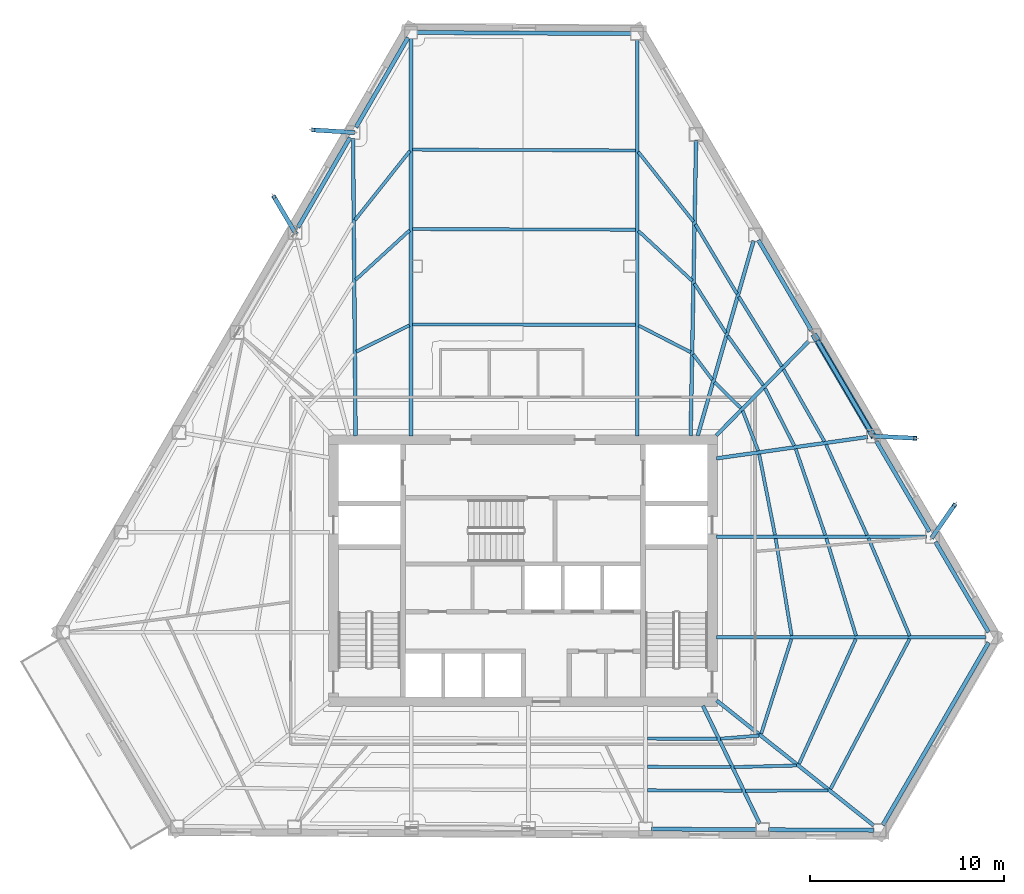
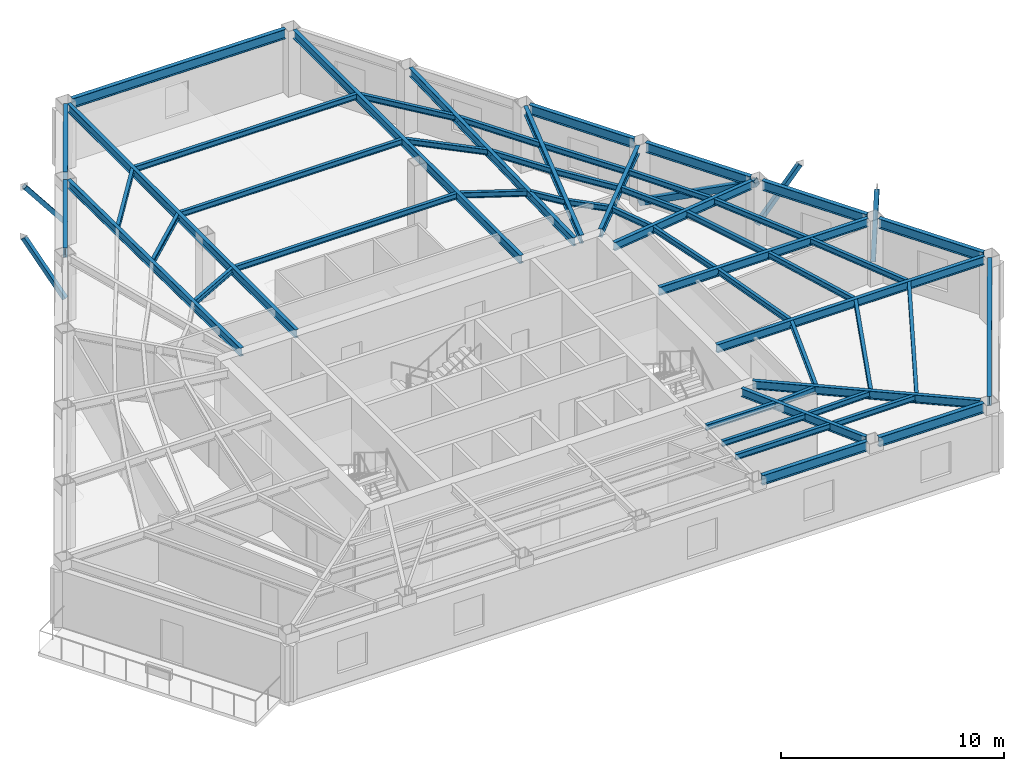
# One storey, part 2 of 13: 54 beams, 5 members.
"""IFC4 building model written with IfcOpenShell, lengths in metres."""

from ifc_helpers import new_model, si_unit, direction, frame, origin, origin_2d, place, context, subcontext, project, spatial, hollow_rectangle, i_section, extrude, material, material_profile, profile_set, type_object, element, save


model = new_model("IFC4")

# Units and contexts
model_context = context("Model", 3, precision=1e-05, world=origin(), true_north=direction((0.0, 1.0)))
body_context = subcontext(model_context, "Body", "Model", "MODEL_VIEW")
ifc_project = project(units=[si_unit("LENGTHUNIT", "METRE"), si_unit("AREAUNIT", "SQUARE_METRE"), si_unit("VOLUMEUNIT", "CUBIC_METRE"), si_unit("PLANEANGLEUNIT", "RADIAN"), si_unit("MASSUNIT", "GRAM", prefix="KILO")], contexts=[model_context])

# Site, building, storey
site_placement = place(None, origin())
site = spatial("IfcSite", under=ifc_project, at=site_placement, CompositionType="ELEMENT")
building_placement = place(site_placement, origin())
building = spatial("IfcBuilding", under=site, at=building_placement, Name="Kavelnor Concourse Tower", CompositionType="ELEMENT")
storey_placement = place(building_placement, frame((0.0, 0.0, 124.0)))
storey = spatial("IfcBuildingStorey", under=building, at=storey_placement, Name="L31", CompositionType="ELEMENT", Elevation=124.0)

# Beams
ifc_material = material(Name="Steel Grade 350", Category="steel")
ifc_material_profile_1 = material_profile(ifc_material, i_section(OverallWidth=0.166015625, OverallDepth=0.306884765625, WebThickness=0.006591796875, FlangeThickness=0.01171875, at=origin_2d()), Name="310UB46")
ifc_profile_set_1 = profile_set([ifc_material_profile_1], Name="Steel Grade 350")
beam_type_1 = type_object("IfcBeamType", Name="BM-JOIST-310", PredefinedType="JOIST", material=ifc_profile_set_1)
beam_1_placement = place(storey_placement, frame((44.40966796875, 7.443359375, 3.446533203125), z_axis=(0.999995944368, -0.002848025338, 0.0), x_axis=(0.002848025338, 0.999995944368, 0.0)))
element("IfcBeam", 1, at=beam_1_placement, inside=storey, type_object=beam_type_1, Name="L31 Secondary Composite Joist 06-1", PredefinedType="JOIST", context=body_context, shape_type="SweptSolid", body=[
    extrude(i_section(OverallWidth=0.166015625, OverallDepth=0.306884765625, WebThickness=0.006591796875, FlangeThickness=0.01171875, at=origin_2d()), origin(), (0.0, 0.0, 1.0), 3.600341796875),
])
beam_2_placement = place(storey_placement, frame((44.40966796875, 5.989013671875, 3.446533203125), z_axis=(0.999993204234, -0.003686663166, 0.0), x_axis=(0.003686663166, 0.999993204234, 0.0)))
element("IfcBeam", 2, at=beam_2_placement, inside=storey, type_object=beam_type_1, Name="L31 Secondary Composite Joist 06-2", PredefinedType="JOIST", context=body_context, shape_type="SweptSolid", body=[
    extrude(i_section(OverallWidth=0.166015625, OverallDepth=0.306884765625, WebThickness=0.006591796875, FlangeThickness=0.01171875, at=origin_2d()), origin(), (0.0, 0.0, 1.0), 4.304443359375),
])
beam_3_placement = place(storey_placement, frame((44.40966796875, 4.777099609375, 3.446533203125), z_axis=(0.999991210028, -0.004192835262, 0.0), x_axis=(0.004192835262, 0.999991210028, 0.0)))
element("IfcBeam", 3, at=beam_3_placement, inside=storey, type_object=beam_type_1, Name="L31 Secondary Composite Joist 06-3", PredefinedType="JOIST", context=body_context, shape_type="SweptSolid", body=[
    extrude(i_section(OverallWidth=0.166015625, OverallDepth=0.306884765625, WebThickness=0.006591796875, FlangeThickness=0.01171875, at=origin_2d()), origin(), (0.0, 0.0, 1.0), 4.89111328125),
])
beam_4_placement = place(storey_placement, frame((48.187744140625, 7.439697265625, 3.446533203125), z_axis=(0.9968312861, 0.079544874458, 0.0), x_axis=(-0.079544874458, 0.9968312861, 0.0)))
element("IfcBeam", 4, at=beam_4_placement, inside=storey, type_object=beam_type_1, Name="L31 Secondary Composite Joist 07-1", PredefinedType="JOIST", context=body_context, shape_type="SweptSolid", body=[
    extrude(i_section(OverallWidth=0.166015625, OverallDepth=0.306884765625, WebThickness=0.006591796875, FlangeThickness=0.01171875, at=origin_2d()), origin(), (0.0, 0.0, 1.0), 1.98583984375),
])
beam_5_placement = place(storey_placement, frame((48.89208984375, 5.974853515625, 3.446533203125), z_axis=(0.999690576375, 0.024874716208, 0.0), x_axis=(-0.024874716208, 0.999690576375, 0.0)))
element("IfcBeam", 5, at=beam_5_placement, inside=storey, type_object=beam_type_1, Name="L31 Secondary Composite Joist 07-2", PredefinedType="JOIST", context=body_context, shape_type="SweptSolid", body=[
    extrude(i_section(OverallWidth=0.166015625, OverallDepth=0.306884765625, WebThickness=0.006591796875, FlangeThickness=0.01171875, at=origin_2d()), origin(), (0.0, 0.0, 1.0), 3.21923828125),
])
beam_6_placement = place(storey_placement, frame((49.478759765625, 4.75634765625, 3.446533203125), z_axis=(0.999996510316, 0.002641846972, 0.0), x_axis=(-0.002641846972, 0.999996510316, 0.0)))
element("IfcBeam", 6, at=beam_6_placement, inside=storey, type_object=beam_type_1, Name="L31 Secondary Composite Joist 07-3", PredefinedType="JOIST", context=body_context, shape_type="SweptSolid", body=[
    extrude(i_section(OverallWidth=0.166015625, OverallDepth=0.306884765625, WebThickness=0.006591796875, FlangeThickness=0.01171875, at=origin_2d()), origin(), (0.0, 0.0, 1.0), 4.2509765625),
])
beam_7_placement = place(storey_placement, frame((50.282958984375, 7.689453125, 3.446533203125), z_axis=(0.303498167768, 0.952832022007, 0.0), x_axis=(-0.952832022007, 0.303498167768, 0.0)))
element("IfcBeam", 7, at=beam_7_placement, inside=storey, type_object=beam_type_1, Name="L31 Secondary Composite Joist 08-1", PredefinedType="JOIST", context=body_context, shape_type="SweptSolid", body=[
    extrude(i_section(OverallWidth=0.166015625, OverallDepth=0.306884765625, WebThickness=0.006591796875, FlangeThickness=0.01171875, at=origin_2d()), origin(), (0.0, 0.0, 1.0), 5.13232421875),
])
beam_8_placement = place(storey_placement, frame((52.236083984375, 6.13818359375, 3.446533203125), z_axis=(0.413501487827, 0.910503442918, 0.0), x_axis=(-0.910503442918, 0.413501487827, 0.0)))
element("IfcBeam", 8, at=beam_8_placement, inside=storey, type_object=beam_type_1, Name="L31 Secondary Composite Joist 08-2", PredefinedType="JOIST", context=body_context, shape_type="SweptSolid", body=[
    extrude(i_section(OverallWidth=0.166015625, OverallDepth=0.306884765625, WebThickness=0.006591796875, FlangeThickness=0.01171875, at=origin_2d()), origin(), (0.0, 0.0, 1.0), 7.07861328125),
])
beam_9_placement = place(storey_placement, frame((53.860107421875, 4.846435546875, 3.446533203125), z_axis=(0.465928192241, 0.884822535696, 0.0), x_axis=(-0.884822535696, 0.465928192241, 0.0)))
element("IfcBeam", 9, at=beam_9_placement, inside=storey, type_object=beam_type_1, Name="L31 Secondary Composite Joist 08-3", PredefinedType="JOIST", context=body_context, shape_type="SweptSolid", body=[
    extrude(i_section(OverallWidth=0.166015625, OverallDepth=0.306884765625, WebThickness=0.006591796875, FlangeThickness=0.01171875, at=origin_2d()), origin(), (0.0, 0.0, 1.0), 8.746337890625),
])
beam_10_placement = place(storey_placement, frame((51.85302734375, 12.752197265625, 3.446533203125), z_axis=(-0.162216216616, 0.986755237669, 0.0), x_axis=(-0.986755237669, -0.162216216616, 0.0)))
element("IfcBeam", 10, at=beam_10_placement, inside=storey, type_object=beam_type_1, Name="L31 Secondary Composite Joist 09-1", PredefinedType="JOIST", context=body_context, shape_type="SweptSolid", body=[
    extrude(i_section(OverallWidth=0.166015625, OverallDepth=0.306884765625, WebThickness=0.006591796875, FlangeThickness=0.01171875, at=origin_2d()), origin(), (0.0, 0.0, 1.0), 5.07958984375),
])
beam_11_placement = place(storey_placement, frame((55.173828125, 12.74951171875, 3.446533203125), z_axis=(-0.292015174961, 0.956413685385, 0.0), x_axis=(-0.956413685385, -0.292015174961, 0.0)))
element("IfcBeam", 11, at=beam_11_placement, inside=storey, type_object=beam_type_1, Name="L31 Secondary Composite Joist 09-2", PredefinedType="JOIST", context=body_context, shape_type="SweptSolid", body=[
    extrude(i_section(OverallWidth=0.166015625, OverallDepth=0.306884765625, WebThickness=0.006591796875, FlangeThickness=0.01171875, at=origin_2d()), origin(), (0.0, 0.0, 1.0), 5.246337890625),
])
beam_12_placement = place(storey_placement, frame((57.94189453125, 12.746337890625, 3.446533203125), z_axis=(-0.389371299134, 0.921080882122, 0.0), x_axis=(-0.921080882122, -0.389371299134, 0.0)))
element("IfcBeam", 12, at=beam_12_placement, inside=storey, type_object=beam_type_1, Name="L31 Secondary Composite Joist 09-3", PredefinedType="JOIST", context=body_context, shape_type="SweptSolid", body=[
    extrude(i_section(OverallWidth=0.166015625, OverallDepth=0.306884765625, WebThickness=0.006591796875, FlangeThickness=0.01171875, at=origin_2d()), origin(), (0.0, 0.0, 1.0), 5.454345703125),
])
beam_13_placement = place(storey_placement, frame((50.99755859375, 17.939453125, 3.446533203125), z_axis=(-0.192396042067, 0.981317360998, 0.0), x_axis=(-0.981317360998, -0.192396042067, 0.0)))
element("IfcBeam", 13, at=beam_13_placement, inside=storey, type_object=beam_type_1, Name="L31 Secondary Composite Joist 10-1", PredefinedType="JOIST", context=body_context, shape_type="SweptSolid", body=[
    extrude(i_section(OverallWidth=0.166015625, OverallDepth=0.306884765625, WebThickness=0.006591796875, FlangeThickness=0.01171875, at=origin_2d()), origin(), (0.0, 0.0, 1.0), 4.2548828125),
])
beam_14_placement = place(storey_placement, frame((53.5869140625, 17.936279296875, 3.446533203125), z_axis=(-0.324612407086, 0.945847125685, 0.0), x_axis=(-0.945847125685, -0.324612407086, 0.0)))
element("IfcBeam", 14, at=beam_14_placement, inside=storey, type_object=beam_type_1, Name="L31 Secondary Composite Joist 10-2", PredefinedType="JOIST", context=body_context, shape_type="SweptSolid", body=[
    extrude(i_section(OverallWidth=0.166015625, OverallDepth=0.306884765625, WebThickness=0.006591796875, FlangeThickness=0.01171875, at=origin_2d()), origin(), (0.0, 0.0, 1.0), 4.701416015625),
])
beam_15_placement = place(storey_placement, frame((55.74658203125, 17.933349609375, 3.446533203125), z_axis=(-0.413060891372, 0.910703409469, 0.0), x_axis=(-0.910703409469, -0.413060891372, 0.0)))
element("IfcBeam", 15, at=beam_15_placement, inside=storey, type_object=beam_type_1, Name="L31 Secondary Composite Joist 10-3", PredefinedType="JOIST", context=body_context, shape_type="SweptSolid", body=[
    extrude(i_section(OverallWidth=0.166015625, OverallDepth=0.306884765625, WebThickness=0.006591796875, FlangeThickness=0.01171875, at=origin_2d()), origin(), (0.0, 0.0, 1.0), 5.132080078125),
])
beam_16_placement = place(storey_placement, frame((50.129638671875, 22.28515625, 3.446533203125), z_axis=(-0.36211572137, 0.932133147322, 0.0), x_axis=(-0.932133147322, -0.36211572137, 0.0)))
element("IfcBeam", 16, at=beam_16_placement, inside=storey, type_object=beam_type_1, Name="L31 Secondary Composite Joist 11-1", PredefinedType="JOIST", context=body_context, shape_type="SweptSolid", body=[
    extrude(i_section(OverallWidth=0.166015625, OverallDepth=0.306884765625, WebThickness=0.006591796875, FlangeThickness=0.01171875, at=origin_2d()), origin(), (0.0, 0.0, 1.0), 2.2099609375),
])
beam_17_placement = place(storey_placement, frame((51.9912109375, 22.54638671875, 3.446533203125), z_axis=(-0.454415711372, 0.890789740207, 0.0), x_axis=(-0.890789740207, -0.454415711372, 0.0)))
element("IfcBeam", 17, at=beam_17_placement, inside=storey, type_object=beam_type_1, Name="L31 Secondary Composite Joist 11-2", PredefinedType="JOIST", context=body_context, shape_type="SweptSolid", body=[
    extrude(i_section(OverallWidth=0.166015625, OverallDepth=0.306884765625, WebThickness=0.006591796875, FlangeThickness=0.01171875, at=origin_2d()), origin(), (0.0, 0.0, 1.0), 3.328857421875),
])
beam_18_placement = place(storey_placement, frame((53.5458984375, 22.765380859375, 3.446533203125), z_axis=(-0.494157539156, 0.869372375047, 0.0), x_axis=(-0.869372375047, -0.494157539156, 0.0)))
element("IfcBeam", 18, at=beam_18_placement, inside=storey, type_object=beam_type_1, Name="L31 Secondary Composite Joist 11-3", PredefinedType="JOIST", context=body_context, shape_type="SweptSolid", body=[
    extrude(i_section(OverallWidth=0.166015625, OverallDepth=0.306884765625, WebThickness=0.006591796875, FlangeThickness=0.01171875, at=origin_2d()), origin(), (0.0, 0.0, 1.0), 4.275634765625),
])
beam_19_placement = place(storey_placement, frame((49.2333984375, 24.490234375, 3.446533203125), z_axis=(-0.714613876503, 0.699519125907, 0.0), x_axis=(-0.699519125907, -0.714613876503, 0.0)))
element("IfcBeam", 19, at=beam_19_placement, inside=storey, type_object=beam_type_1, Name="L31 Secondary Composite Joist 12-1", PredefinedType="JOIST", context=body_context, shape_type="SweptSolid", body=[
    extrude(i_section(OverallWidth=0.166015625, OverallDepth=0.306884765625, WebThickness=0.006591796875, FlangeThickness=0.01171875, at=origin_2d()), origin(), (0.0, 0.0, 1.0), 1.892333984375),
])
beam_20_placement = place(storey_placement, frame((50.38623046875, 25.663330078125, 3.446533203125), z_axis=(-0.58149571943, 0.813549462715, 0.0), x_axis=(-0.813549462715, -0.58149571943, 0.0)))
element("IfcBeam", 20, at=beam_20_placement, inside=storey, type_object=beam_type_1, Name="L31 Secondary Composite Joist 12-2", PredefinedType="JOIST", context=body_context, shape_type="SweptSolid", body=[
    extrude(i_section(OverallWidth=0.166015625, OverallDepth=0.306884765625, WebThickness=0.006591796875, FlangeThickness=0.01171875, at=origin_2d()), origin(), (0.0, 0.0, 1.0), 3.138427734375),
])
beam_21_placement = place(storey_placement, frame((51.34228515625, 26.6357421875, 3.446533203125), z_axis=(-0.524362484766, 0.851495146533, 0.0), x_axis=(-0.851495146533, -0.524362484766, 0.0)))
element("IfcBeam", 21, at=beam_21_placement, inside=storey, type_object=beam_type_1, Name="L31 Secondary Composite Joist 12-3", PredefinedType="JOIST", context=body_context, shape_type="SweptSolid", body=[
    extrude(i_section(OverallWidth=0.166015625, OverallDepth=0.306884765625, WebThickness=0.006591796875, FlangeThickness=0.01171875, at=origin_2d()), origin(), (0.0, 0.0, 1.0), 4.213623046875),
])
beam_22_placement = place(storey_placement, frame((47.763916015625, 25.947509765625, 3.446533203125), z_axis=(-0.601523942044, 0.798854772251, 0.0), x_axis=(-0.798854772251, -0.601523942044, 0.0)))
element("IfcBeam", 22, at=beam_22_placement, inside=storey, type_object=beam_type_1, Name="L31 Secondary Composite Joist 13-1", PredefinedType="JOIST", context=body_context, shape_type="SweptSolid", body=[
    extrude(i_section(OverallWidth=0.166015625, OverallDepth=0.306884765625, WebThickness=0.006591796875, FlangeThickness=0.01171875, at=origin_2d()), origin(), (0.0, 0.0, 1.0), 1.639404296875),
])
beam_23_placement = place(storey_placement, frame((48.461669921875, 28.364013671875, 3.446533203125), z_axis=(-0.536964417374, 0.843604892396, 0.0), x_axis=(-0.843604892396, -0.536964417374, 0.0)))
element("IfcBeam", 23, at=beam_23_placement, inside=storey, type_object=beam_type_1, Name="L31 Secondary Composite Joist 13-2", PredefinedType="JOIST", context=body_context, shape_type="SweptSolid", body=[
    extrude(i_section(OverallWidth=0.166015625, OverallDepth=0.306884765625, WebThickness=0.006591796875, FlangeThickness=0.01171875, at=origin_2d()), origin(), (0.0, 0.0, 1.0), 3.02001953125),
])
beam_24_placement = place(storey_placement, frame((49.040283203125, 30.3759765625, 3.446533203125), z_axis=(-0.513782053212, 0.857920743308, 0.0), x_axis=(-0.857920743308, -0.513782053212, 0.0)))
element("IfcBeam", 24, at=beam_24_placement, inside=storey, type_object=beam_type_1, Name="L31 Secondary Composite Joist 13-3", PredefinedType="JOIST", context=body_context, shape_type="SweptSolid", body=[
    extrude(i_section(OverallWidth=0.166015625, OverallDepth=0.306884765625, WebThickness=0.006591796875, FlangeThickness=0.01171875, at=origin_2d()), origin(), (0.0, 0.0, 1.0), 4.17626953125),
])
beam_25_placement = place(storey_placement, frame((46.64501953125, 27.368896484375, 3.446533203125), z_axis=(-0.890118827733, 0.455728507463, 0.0), x_axis=(-0.455728507463, -0.890118827733, 0.0)))
element("IfcBeam", 25, at=beam_25_placement, inside=storey, type_object=beam_type_1, Name="L31 Secondary Composite Joist 14-1", PredefinedType="JOIST", context=body_context, shape_type="SweptSolid", body=[
    extrude(i_section(OverallWidth=0.166015625, OverallDepth=0.306884765625, WebThickness=0.006591796875, FlangeThickness=0.01171875, at=origin_2d()), origin(), (0.0, 0.0, 1.0), 3.009033203125),
])
beam_26_placement = place(storey_placement, frame((46.72705078125, 31.047119140625, 3.446533203125), z_axis=(-0.732738373, 0.680510453066, 0.0), x_axis=(-0.680510453066, -0.732738373, 0.0)))
element("IfcBeam", 26, at=beam_26_placement, inside=storey, type_object=beam_type_1, Name="L31 Secondary Composite Joist 14-2", PredefinedType="JOIST", context=body_context, shape_type="SweptSolid", body=[
    extrude(i_section(OverallWidth=0.166015625, OverallDepth=0.306884765625, WebThickness=0.006591796875, FlangeThickness=0.01171875, at=origin_2d()), origin(), (0.0, 0.0, 1.0), 3.786376953125),
])
beam_27_placement = place(storey_placement, frame((46.79345703125, 34.10498046875, 3.446533203125), z_axis=(-0.621243791216, 0.783617350417, 0.0), x_axis=(-0.783617350417, -0.621243791216, 0.0)))
element("IfcBeam", 27, at=beam_27_placement, inside=storey, type_object=beam_type_1, Name="L31 Secondary Composite Joist 14-3", PredefinedType="JOIST", context=body_context, shape_type="SweptSolid", body=[
    extrude(i_section(OverallWidth=0.166015625, OverallDepth=0.306884765625, WebThickness=0.006591796875, FlangeThickness=0.01171875, at=origin_2d()), origin(), (0.0, 0.0, 1.0), 4.5888671875),
])
for number, where, z_axis, x_axis, name in (
    (28, (43.79833984375, 28.781005859375, 3.446533203125), (-0.999998892647, 0.0014881885, 0.0), (-0.0014881885, -0.999998892647, 0.0), "L31 Secondary Composite Joist 15-1"),
    (29, (43.79833984375, 33.6845703125, 3.446533203125), (-0.999996121794, 0.002785030762, 0.0), (-0.002785030762, -0.999996121794, 0.0), "L31 Secondary Composite Joist 15-2"),
    (30, (43.79833984375, 37.77099609375, 3.446533203125), (-0.999992596397, 0.003848006037, 0.0), (-0.003848006037, -0.999992596397, 0.0), "L31 Secondary Composite Joist 15-3"),
):
    element("IfcBeam", number, at=place(storey_placement, frame(where, z_axis=z_axis, x_axis=x_axis)), inside=storey, type_object=beam_type_1, Name=name, PredefinedType="JOIST", context=body_context, shape_type="SweptSolid", body=[
        extrude(i_section(OverallWidth=0.166015625, OverallDepth=0.306884765625, WebThickness=0.006591796875, FlangeThickness=0.01171875, at=origin_2d()), origin(), (0.0, 0.0, 1.0), 11.483642578125),
    ])
beam_28_placement = place(storey_placement, frame((32.146240234375, 28.758544921875, 3.446533203125), z_axis=(-0.894874180429, -0.446318497489, 0.0), x_axis=(0.446318497489, -0.894874180429, 0.0)))
element("IfcBeam", 31, at=beam_28_placement, inside=storey, type_object=beam_type_1, Name="L31 Secondary Composite Joist 16-1", PredefinedType="JOIST", context=body_context, shape_type="SweptSolid", body=[
    extrude(i_section(OverallWidth=0.166015625, OverallDepth=0.306884765625, WebThickness=0.006591796875, FlangeThickness=0.01171875, at=origin_2d()), origin(), (0.0, 0.0, 1.0), 3.0556640625),
])
beam_29_placement = place(storey_placement, frame((32.16015625, 33.656494140625, 3.446533203125), z_axis=(-0.737266465932, -0.675602070905, 0.0), x_axis=(0.675602070905, -0.737266465932, 0.0)))
element("IfcBeam", 32, at=beam_29_placement, inside=storey, type_object=beam_type_1, Name="L31 Secondary Composite Joist 16-2", PredefinedType="JOIST", context=body_context, shape_type="SweptSolid", body=[
    extrude(i_section(OverallWidth=0.166015625, OverallDepth=0.306884765625, WebThickness=0.006591796875, FlangeThickness=0.01171875, at=origin_2d()), origin(), (0.0, 0.0, 1.0), 3.788818359375),
])
beam_30_placement = place(storey_placement, frame((32.17041015625, 37.745849609375, 3.446533203125), z_axis=(-0.622369386411, -0.782723672095, 0.0), x_axis=(0.782723672095, -0.622369386411, 0.0)))
element("IfcBeam", 33, at=beam_30_placement, inside=storey, type_object=beam_type_1, Name="L31 Secondary Composite Joist 16-3", PredefinedType="JOIST", context=body_context, shape_type="SweptSolid", body=[
    extrude(i_section(OverallWidth=0.166015625, OverallDepth=0.306884765625, WebThickness=0.006591796875, FlangeThickness=0.01171875, at=origin_2d()), origin(), (0.0, 0.0, 1.0), 4.56298828125),
])
ifc_material_profile_2 = material_profile(ifc_material, i_section(OverallWidth=0.18994140625, OverallDepth=0.4541015625, WebThickness=0.008544921875, FlangeThickness=0.0126953125, at=origin_2d()), Name="460UB67")
ifc_profile_set_2 = profile_set([ifc_material_profile_2], Name="Steel Grade 350")
beam_type_2 = type_object("IfcBeamType", Name="BM-PRIMARY-460", PredefinedType="BEAM", material=ifc_profile_set_2)
beam_31_placement = place(storey_placement, frame((32.225830078125, 23.06005859375, 3.373046875), z_axis=(0.0, 1.0, 0.0), x_axis=(-1.0, 0.0, 0.0)))
element("IfcBeam", 34, at=beam_31_placement, inside=storey, type_object=beam_type_2, Name="L31 Primary Floor Girder F0-B0", PredefinedType="BEAM", context=body_context, shape_type="SweptSolid", body=[
    extrude(i_section(OverallWidth=0.18994140625, OverallDepth=0.4541015625, WebThickness=0.008544921875, FlangeThickness=0.0126953125, at=origin_2d()), origin(), (0.0, 0.0, 1.0), 20.49365234375),
])
beam_32_placement = place(storey_placement, frame((29.368408203125, 23.06005859375, 3.373046875), z_axis=(-0.00843502642, 0.999964424532, 0.0), x_axis=(-0.999964424532, -0.00843502642, 0.0)))
element("IfcBeam", 35, at=beam_32_placement, inside=storey, type_object=beam_type_2, Name="L31 Primary Floor Girder F0-B1", PredefinedType="BEAM", context=body_context, shape_type="SweptSolid", body=[
    extrude(i_section(OverallWidth=0.18994140625, OverallDepth=0.4541015625, WebThickness=0.008544921875, FlangeThickness=0.0126953125, at=origin_2d()), origin(), (0.0, 0.0, 1.0), 15.340087890625),
])
beam_33_placement = place(storey_placement, frame((47.277587890625, 9.135986328125, 3.373046875), z_axis=(0.434341611093, -0.900748225018, 0.0), x_axis=(0.900748225018, 0.434341611093, 0.0)))
element("IfcBeam", 36, at=beam_33_placement, inside=storey, type_object=beam_type_2, Name="L31 Primary Floor Girder F1-B5", PredefinedType="BEAM", context=body_context, shape_type="SweptSolid", body=[
    extrude(i_section(OverallWidth=0.18994140625, OverallDepth=0.4541015625, WebThickness=0.008544921875, FlangeThickness=0.0126953125, at=origin_2d()), origin(), (0.0, 0.0, 1.0), 6.753662109375),
])
beam_34_placement = place(storey_placement, frame((47.98876953125, 9.41015625, 3.373046875), z_axis=(0.782279718847, -0.622927316371, 0.0), x_axis=(0.622927316371, 0.782279718847, 0.0)))
element("IfcBeam", 37, at=beam_34_placement, inside=storey, type_object=beam_type_2, Name="L31 Primary Floor Girder F1-B6", PredefinedType="BEAM", context=body_context, shape_type="SweptSolid", body=[
    extrude(i_section(OverallWidth=0.18994140625, OverallDepth=0.4541015625, WebThickness=0.008544921875, FlangeThickness=0.0126953125, at=origin_2d()), origin(), (0.0, 0.0, 1.0), 10.350830078125),
])
beam_35_placement = place(storey_placement, frame((47.97998046875, 12.664306640625, 3.373046875), z_axis=(1.0, 0.0, 0.0), x_axis=(0.0, 1.0, 0.0)))
element("IfcBeam", 38, at=beam_35_placement, inside=storey, type_object=beam_type_2, Name="L31 Primary Floor Girder F2-B0", PredefinedType="BEAM", context=body_context, shape_type="SweptSolid", body=[
    extrude(i_section(OverallWidth=0.18994140625, OverallDepth=0.4541015625, WebThickness=0.008544921875, FlangeThickness=0.0126953125, at=origin_2d()), origin(), (0.0, 0.0, 1.0), 13.88427734375),
])
beam_36_placement = place(storey_placement, frame((47.97998046875, 17.852294921875, 3.373046875), z_axis=(1.0, 0.0, 0.0), x_axis=(0.0, 1.0, 0.0)))
element("IfcBeam", 39, at=beam_36_placement, inside=storey, type_object=beam_type_2, Name="L31 Primary Floor Girder F2-B1", PredefinedType="BEAM", context=body_context, shape_type="SweptSolid", body=[
    extrude(i_section(OverallWidth=0.18994140625, OverallDepth=0.4541015625, WebThickness=0.008544921875, FlangeThickness=0.0126953125, at=origin_2d()), origin(), (0.0, 0.0, 1.0), 10.838134765625),
])
beam_37_placement = place(storey_placement, frame((47.98046875, 21.892822265625, 3.373046875), z_axis=(0.990100332991, 0.140361428505, 0.0), x_axis=(-0.140361428505, 0.990100332991, 0.0)))
element("IfcBeam", 40, at=beam_37_placement, inside=storey, type_object=beam_type_2, Name="L31 Primary Floor Girder F2-B2", PredefinedType="BEAM", context=body_context, shape_type="SweptSolid", body=[
    extrude(i_section(OverallWidth=0.18994140625, OverallDepth=0.4541015625, WebThickness=0.008544921875, FlangeThickness=0.0126953125, at=origin_2d()), origin(), (0.0, 0.0, 1.0), 7.868896484375),
])
beam_38_placement = place(storey_placement, frame((47.9658203125, 23.0712890625, 3.373046875), z_axis=(0.700385617041, 0.713764658303, 0.0), x_axis=(-0.713764658303, 0.700385617041, 0.0)))
element("IfcBeam", 41, at=beam_38_placement, inside=storey, type_object=beam_type_2, Name="L31 Primary Floor Girder F2-B3", PredefinedType="BEAM", context=body_context, shape_type="SweptSolid", body=[
    extrude(i_section(OverallWidth=0.18994140625, OverallDepth=0.4541015625, WebThickness=0.008544921875, FlangeThickness=0.0126953125, at=origin_2d()), origin(), (0.0, 0.0, 1.0), 6.788330078125),
])
beam_39_placement = place(storey_placement, frame((47.010498046875, 23.0615234375, 3.373046875), z_axis=(0.275658323052, 0.961255683433, 0.0), x_axis=(-0.961255683433, 0.275658323052, 0.0)))
element("IfcBeam", 42, at=beam_39_placement, inside=storey, type_object=beam_type_2, Name="L31 Primary Floor Girder F2-B4", PredefinedType="BEAM", context=body_context, shape_type="SweptSolid", body=[
    extrude(i_section(OverallWidth=0.18994140625, OverallDepth=0.4541015625, WebThickness=0.008544921875, FlangeThickness=0.0126953125, at=origin_2d()), origin(), (0.0, 0.0, 1.0), 10.4580078125),
])
beam_40_placement = place(storey_placement, frame((46.645263671875, 23.06005859375, 3.373046875), z_axis=(0.018543209158, 0.999828059915, 0.0), x_axis=(-0.999828059915, 0.018543209158, 0.0)))
element("IfcBeam", 43, at=beam_40_placement, inside=storey, type_object=beam_type_2, Name="L31 Primary Floor Girder F2-B5", PredefinedType="BEAM", context=body_context, shape_type="SweptSolid", body=[
    extrude(i_section(OverallWidth=0.18994140625, OverallDepth=0.4541015625, WebThickness=0.008544921875, FlangeThickness=0.0126953125, at=origin_2d()), origin(), (0.0, 0.0, 1.0), 15.246337890625),
])
beam_41_placement = place(storey_placement, frame((43.887451171875, 23.06005859375, 3.373046875), z_axis=(0.0, 1.0, 0.0), x_axis=(-1.0, 0.0, 0.0)))
element("IfcBeam", 44, at=beam_41_placement, inside=storey, type_object=beam_type_2, Name="L31 Primary Floor Girder F2-B6", PredefinedType="BEAM", context=body_context, shape_type="SweptSolid", body=[
    extrude(i_section(OverallWidth=0.18994140625, OverallDepth=0.4541015625, WebThickness=0.008544921875, FlangeThickness=0.0126953125, at=origin_2d()), origin(), (0.0, 0.0, 1.0), 20.431396484375),
])
ifc_material_profile_3 = material_profile(ifc_material, i_section(OverallWidth=0.208984375, OverallDepth=0.532958984375, WebThickness=0.01025390625, FlangeThickness=0.015625, at=origin_2d()), Name="530UB92")
ifc_profile_set_3 = profile_set([ifc_material_profile_3], Name="Steel Grade 350")
beam_type_3 = type_object("IfcBeamType", Name="BM-SPANDREL-Z2", PredefinedType="SPANDREL", material=ifc_profile_set_3)
beam_42_placement = place(storey_placement, frame((32.07275390625, 43.590087890625, 3.33349609375), z_axis=(-0.501698279072, -0.865042679164, 0.0), x_axis=(0.865042679164, -0.501698279072, 0.0)))
element("IfcBeam", 45, at=beam_42_placement, inside=storey, type_object=beam_type_3, Name="L31 Perimeter Tube Spandrel Beam F0-B0", PredefinedType="SPANDREL", context=body_context, shape_type="SweptSolid", body=[
    extrude(i_section(OverallWidth=0.208984375, OverallDepth=0.532958984375, WebThickness=0.01025390625, FlangeThickness=0.015625, at=origin_2d()), origin(), (0.0, 0.0, 1.0), 5.3486328125),
])
beam_43_placement = place(storey_placement, frame((29.08349609375, 38.435791015625, 3.33349609375), z_axis=(-0.501737901773, -0.865019697998, 0.0), x_axis=(0.865019697998, -0.501737901773, 0.0)))
element("IfcBeam", 46, at=beam_43_placement, inside=storey, type_object=beam_type_3, Name="L31 Perimeter Tube Spandrel Beam F0-B1", PredefinedType="SPANDREL", context=body_context, shape_type="SweptSolid", body=[
    extrude(i_section(OverallWidth=0.208984375, OverallDepth=0.532958984375, WebThickness=0.01025390625, FlangeThickness=0.015625, at=origin_2d()), origin(), (0.0, 0.0, 1.0), 5.34814453125),
])
beam_44_placement = place(storey_placement, frame((43.58251953125, 43.793212890625, 3.33349609375), z_axis=(-0.99998571077, 0.005345863347, 0.0), x_axis=(-0.005345863347, -0.99998571077, 0.0)))
element("IfcBeam", 47, at=beam_44_placement, inside=storey, type_object=beam_type_3, Name="L31 Chamfer Facet Spandrel Beam C0", PredefinedType="SPANDREL", context=body_context, shape_type="SweptSolid", body=[
    extrude(i_section(OverallWidth=0.208984375, OverallDepth=0.532958984375, WebThickness=0.01025390625, FlangeThickness=0.015625, at=origin_2d()), origin(), (0.0, 0.0, 1.0), 11.052001953125),
])
for number, where, z_axis, x_axis, name in (
    (48, (44.62548828125, 2.779541015625, 3.33349609375), (0.999985671038, -0.005353290515, 0.0), (0.005353290515, 0.999985671038, 0.0), "L31 Perimeter Tube Spandrel Beam F1-B4"),
    (49, (50.66259765625, 2.747314453125, 3.33349609375), (0.999985429208, -0.005398274844, 0.0), (0.005398274844, 0.999985429208, 0.0), "L31 Perimeter Tube Spandrel Beam F1-B5"),
):
    element("IfcBeam", number, at=place(storey_placement, frame(where, z_axis=z_axis, x_axis=x_axis)), inside=storey, type_object=beam_type_3, Name=name, PredefinedType="SPANDREL", context=body_context, shape_type="SweptSolid", body=[
        extrude(i_section(OverallWidth=0.208984375, OverallDepth=0.532958984375, WebThickness=0.01025390625, FlangeThickness=0.015625, at=origin_2d()), origin(), (0.0, 0.0, 1.0), 5.427001953125),
    ])
for number, where, z_axis, x_axis, name in (
    (50, (62.009765625, 12.92724609375, 3.33349609375), (-0.506337106801, 0.862335627396, 0.0), (-0.862335627396, -0.506337106801, 0.0), "L31 Perimeter Tube Spandrel Beam F2-B0"),
    (51, (58.963623046875, 18.115234375, 3.33349609375), (-0.506337106801, 0.862335627396, 0.0), (-0.862335627396, -0.506337106801, 0.0), "L31 Perimeter Tube Spandrel Beam F2-B1"),
    (52, (55.91748046875, 23.302978515625, 3.33349609375), (-0.506337106801, 0.862335627396, 0.0), (-0.862335627396, -0.506337106801, 0.0), "L31 Perimeter Tube Spandrel Beam F2-B2"),
    (53, (52.871337890625, 28.490966796875, 3.33349609375), (-0.506337106801, 0.862335627396, 0.0), (-0.862335627396, -0.506337106801, 0.0), "L31 Perimeter Tube Spandrel Beam F2-B3"),
):
    element("IfcBeam", number, at=place(storey_placement, frame(where, z_axis=z_axis, x_axis=x_axis)), inside=storey, type_object=beam_type_3, Name=name, PredefinedType="SPANDREL", context=body_context, shape_type="SweptSolid", body=[
        extrude(i_section(OverallWidth=0.208984375, OverallDepth=0.532958984375, WebThickness=0.01025390625, FlangeThickness=0.015625, at=origin_2d()), origin(), (0.0, 0.0, 1.0), 5.406005859375),
    ])
beam_45_placement = place(storey_placement, frame((56.547607421875, 2.980224609375, 3.33349609375), z_axis=(0.501713057081, 0.865034108203, 0.0), x_axis=(-0.865034108203, 0.501713057081, 0.0)))
element("IfcBeam", 54, at=beam_45_placement, inside=storey, type_object=beam_type_3, Name="L31 Chamfer Facet Spandrel Beam C2", PredefinedType="SPANDREL", context=body_context, shape_type="SweptSolid", body=[
    extrude(i_section(OverallWidth=0.208984375, OverallDepth=0.532958984375, WebThickness=0.01025390625, FlangeThickness=0.015625, at=origin_2d()), origin(), (0.0, 0.0, 1.0), 10.889892578125),
])

# Members
ifc_material_profile_4 = material_profile(ifc_material, hollow_rectangle(XDim=0.219970703125, YDim=0.219970703125, WallThickness=0.013916015625, at=origin_2d()), Name="SHS 220x220x14")
ifc_profile_set_4 = profile_set([ifc_material_profile_4], Name="Steel Grade 350")
member_type_1 = type_object("IfcMemberType", Name="MBR-BALC-STRUT-220", PredefinedType="STRUT", material=ifc_profile_set_4)
member_1_placement = place(storey_placement, frame((59.1181640625, 17.852294921875, 1.050048828125), z_axis=(0.346237946709, 0.497819518729, 0.795169800125), x_axis=(-0.820960306478, 0.57098526705, 0.0)))
element("IfcMember", 55, at=member_1_placement, inside=storey, type_object=member_type_1, Name="L31 Tree Balcony Raking Knee Strut 1-A", PredefinedType="STRUT", context=body_context, shape_type="SweptSolid", body=[
    extrude(hollow_rectangle(XDim=0.219970703125, YDim=0.219970703125, WallThickness=0.013916015625, at=origin_2d()), origin(), (0.0, 0.0, 1.0), 3.276123046875),
])
member_2_placement = place(storey_placement, frame((56.072021484375, 23.0400390625, 1.050048828125), z_axis=(0.636926864213, -0.031979893556, 0.770260641635), x_axis=(0.050146509063, 0.998741872372, 0.0)))
element("IfcMember", 56, at=member_2_placement, inside=storey, type_object=member_type_1, Name="L31 Tree Balcony Raking Knee Strut 1-B", PredefinedType="STRUT", context=body_context, shape_type="SweptSolid", body=[
    extrude(hollow_rectangle(XDim=0.219970703125, YDim=0.219970703125, WallThickness=0.013916015625, at=origin_2d()), origin(), (0.0, 0.0, 1.0), 3.3818359375),
])
member_3_placement = place(storey_placement, frame((29.236328125, 38.69970703125, 1.050048828125), z_axis=(-0.619181101114, 0.039250084045, 0.784266660598), x_axis=(-0.063263334288, -0.997996869, 0.0)))
element("IfcMember", 57, at=member_3_placement, inside=storey, type_object=member_type_1, Name="L31 Tree Balcony Raking Knee Strut 2-A", PredefinedType="STRUT", context=body_context, shape_type="SweptSolid", body=[
    extrude(hollow_rectangle(XDim=0.219970703125, YDim=0.219970703125, WallThickness=0.013916015625, at=origin_2d()), origin(), (0.0, 0.0, 1.0), 3.321533203125),
])
member_4_placement = place(storey_placement, frame((26.2470703125, 33.545654296875, 1.050048828125), z_axis=(-0.322269118634, 0.544133148043, 0.774636516294), x_axis=(-0.860416446108, -0.509591541597, 0.0)))
element("IfcMember", 58, at=member_4_placement, inside=storey, type_object=member_type_1, Name="L31 Tree Balcony Raking Knee Strut 2-B", PredefinedType="STRUT", context=body_context, shape_type="SweptSolid", body=[
    extrude(hollow_rectangle(XDim=0.219970703125, YDim=0.219970703125, WallThickness=0.013916015625, at=origin_2d()), origin(), (0.0, 0.0, 1.0), 3.36279296875),
])
ifc_material_profile_5 = material_profile(ifc_material, hollow_rectangle(XDim=0.320068359375, YDim=0.320068359375, WallThickness=0.01806640625, at=origin_2d()), Name="SHS 320x320x18")
ifc_profile_set_5 = profile_set([ifc_material_profile_5], Name="Steel Grade 350")
member_type_2 = type_object("IfcMemberType", Name="MBR-TUBE-DIAG-Z2", PredefinedType="BRACE", material=ifc_profile_set_5)
member_5_placement = place(storey_placement, frame((53.02587890625, 28.227783203125, 0.219970703125), z_axis=(0.44968818697, -0.765843094086, 0.459635605388), x_axis=(0.862331426464, 0.506344261282, 0.0)))
element("IfcMember", 59, at=member_5_placement, inside=storey, type_object=member_type_2, Name="L31 Framed-Tube Bracing Diagonal F2-B2", PredefinedType="BRACE", context=body_context, shape_type="SweptSolid", body=[
    extrude(hollow_rectangle(XDim=0.320068359375, YDim=0.320068359375, WallThickness=0.01806640625, at=origin_2d()), origin(), (0.0, 0.0, 1.0), 6.77392578125),
])

save(model, "model.ifc")
